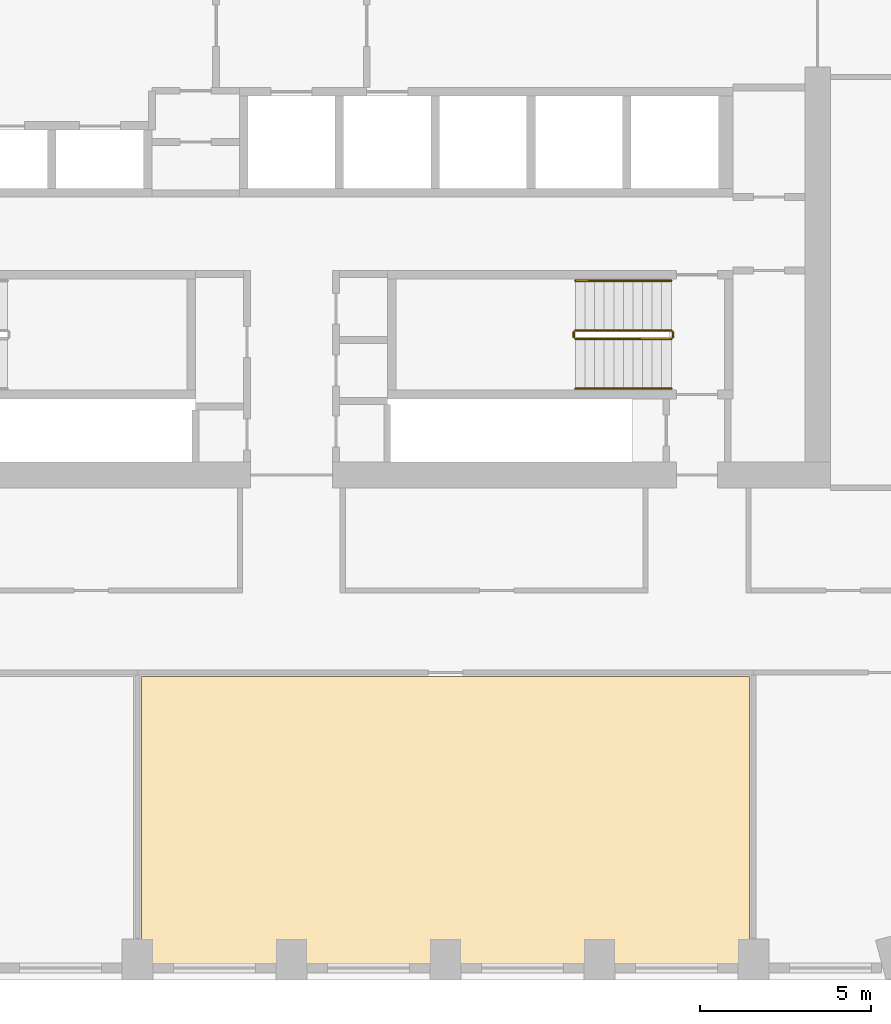
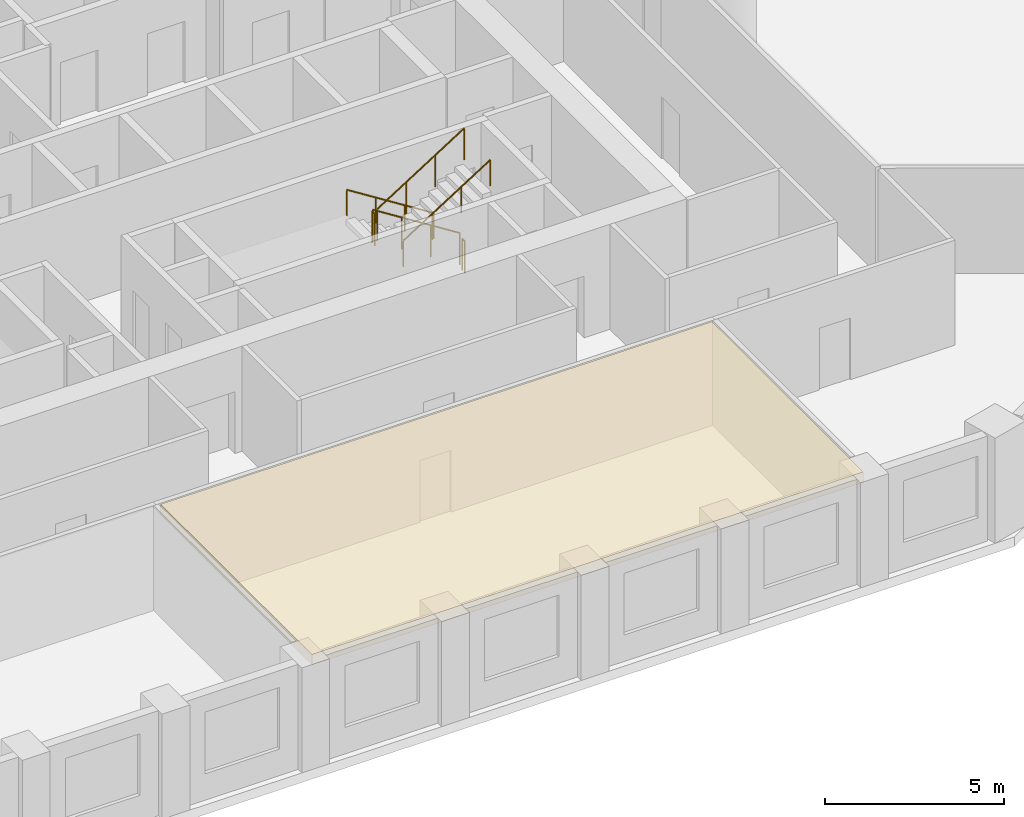
# One storey, part 11 of 14: 6 railings, 1 covering.
"""IFC4 building model written with IfcOpenShell, lengths in metres."""

from ifc_helpers import new_model, si_unit, direction, frame, origin, origin_2d, place, context, subcontext, project, spatial, polyline, circle, outline, extrude, material, layer, layer_set, type_object, element, save


model = new_model("IFC4")

# Units and contexts
model_context = context("Model", 3, precision=1e-05, world=origin(), true_north=direction((0.0, 1.0)))
body_context = subcontext(model_context, "Body", "Model", "MODEL_VIEW")
ifc_project = project(units=[si_unit("LENGTHUNIT", "METRE"), si_unit("AREAUNIT", "SQUARE_METRE"), si_unit("VOLUMEUNIT", "CUBIC_METRE"), si_unit("PLANEANGLEUNIT", "RADIAN"), si_unit("MASSUNIT", "GRAM", prefix="KILO")], contexts=[model_context])

# Site, building, storey
site_placement = place(None, origin())
site = spatial("IfcSite", under=ifc_project, at=site_placement, CompositionType="ELEMENT")
building_placement = place(site_placement, origin())
building = spatial("IfcBuilding", under=site, at=building_placement, Name="Dhurran Vertical Campus", CompositionType="ELEMENT")
storey_placement = place(building_placement, frame((0.0, 0.0, 140.39990234375)))
storey = spatial("IfcBuildingStorey", under=building, at=storey_placement, Name="L34", CompositionType="ELEMENT", Elevation=140.39990234375)

# Railings
ifc_material_1 = material(Name="Stainless steel balustrade", Category="steel")
railing_type_1 = type_object("IfcRailingType", Name="co-RL-GUARD-1100", PredefinedType="GUARDRAIL", material=ifc_material_1)
railing_1_placement = place(storey_placement, frame((11.10009765625, -8.89990234375, 0.177490234375)))
element("IfcRailing", 1, at=railing_1_placement, inside=storey, type_object=railing_type_1, Name="L34 ST4 stair guard 1", PredefinedType="GUARDRAIL", context=body_context, shape_type="SweptSolid", body=[
    extrude(circle(Radius=0.02392578125, at=origin_2d()), frame((0.0, 0.0, 1.076171875), z_axis=(-0.844908973607, 0.0, 0.534910110503), x_axis=(0.0, -1.0, 0.0)), (0.0, 0.0, 1.0), 3.31396484375),
    extrude(circle(Radius=0.02099609375, at=origin_2d()), origin(), (0.0, 0.0, 1.0), 1.052001953125),
    extrude(circle(Radius=0.02099609375, at=origin_2d()), frame((-0.933349609375, 0.0, 0.5908203125)), (0.0, 0.0, 1.0), 1.052001953125),
    extrude(circle(Radius=0.02099609375, at=origin_2d()), frame((-1.86669921875, 0.0, 1.181884765625)), (0.0, 0.0, 1.0), 1.052001953125),
    extrude(circle(Radius=0.02099609375, at=origin_2d()), frame((-2.800048828125, 0.0, 1.772705078125)), (0.0, 0.0, 1.0), 1.052001953125),
])
railing_2_placement = place(storey_placement, frame((8.25, -8.949951171875, 1.9501953125)))
element("IfcRailing", 2, at=railing_2_placement, inside=storey, type_object=railing_type_1, Name="L34 ST4 stair guard 2", PredefinedType="GUARDRAIL", context=body_context, shape_type="SweptSolid", body=[
    extrude(circle(Radius=0.02392578125, at=origin_2d()), frame((0.0, 0.0, 1.076171875), z_axis=(0.0, -1.0, 0.0), x_axis=(1.0, 0.0, 0.0)), (0.0, 0.0, 1.0), 0.150146484375),
    extrude(circle(Radius=0.02099609375, at=origin_2d()), origin(), (0.0, 0.0, 1.0), 1.052001953125),
    extrude(circle(Radius=0.02099609375, at=origin_2d()), frame((0.0, -0.150146484375, 0.0)), (0.0, 0.0, 1.0), 1.052001953125),
])
railing_3_placement = place(storey_placement, frame((8.300048828125, -9.14990234375, 2.12744140625)))
element("IfcRailing", 3, at=railing_3_placement, inside=storey, type_object=railing_type_1, Name="L34 ST4 stair guard 3", PredefinedType="GUARDRAIL", context=body_context, shape_type="SweptSolid", body=[
    extrude(circle(Radius=0.02392578125, at=origin_2d()), frame((0.0, 0.0, 1.076171875), z_axis=(0.844908973607, 0.0, 0.534910110503), x_axis=(0.0, 1.0, 0.0)), (0.0, 0.0, 1.0), 3.31396484375),
    extrude(circle(Radius=0.02099609375, at=origin_2d()), origin(), (0.0, 0.0, 1.0), 1.052001953125),
    extrude(circle(Radius=0.02099609375, at=origin_2d()), frame((0.933349609375, 0.0, 0.5908203125)), (0.0, 0.0, 1.0), 1.052001953125),
    extrude(circle(Radius=0.02099609375, at=origin_2d()), frame((1.86669921875, 0.0, 1.181884765625)), (0.0, 0.0, 1.0), 1.052001953125),
    extrude(circle(Radius=0.02099609375, at=origin_2d()), frame((2.800048828125, 0.0, 1.772705078125)), (0.0, 0.0, 1.0), 1.052001953125),
])
railing_4_placement = place(storey_placement, frame((11.14990234375, -8.949951171875, 0.0)))
element("IfcRailing", 4, at=railing_4_placement, inside=storey, type_object=railing_type_1, Name="L34 ST4 stair guard 4", PredefinedType="GUARDRAIL", context=body_context, shape_type="SweptSolid", body=[
    extrude(circle(Radius=0.02392578125, at=origin_2d()), frame((0.0, 0.0, 1.076171875), z_axis=(0.0, -1.0, 0.0), x_axis=(1.0, 0.0, 0.0)), (0.0, 0.0, 1.0), 0.150146484375),
    extrude(circle(Radius=0.02099609375, at=origin_2d()), origin(), (0.0, 0.0, 1.0), 1.052001953125),
    extrude(circle(Radius=0.02099609375, at=origin_2d()), frame((0.0, -0.150146484375, 0.0)), (0.0, 0.0, 1.0), 1.052001953125),
])
ifc_material_2 = material(Name="Stainless steel handrail", Category="steel")
railing_type_2 = type_object("IfcRailingType", Name="co-RL-HANDRAIL-900", PredefinedType="HANDRAIL", material=ifc_material_2)
railing_5_placement = place(storey_placement, frame((11.10009765625, -7.449951171875, 0.177490234375)))
element("IfcRailing", 5, at=railing_5_placement, inside=storey, type_object=railing_type_2, Name="L34 ST4 stair handrail 1", PredefinedType="HANDRAIL", context=body_context, shape_type="SweptSolid", body=[
    extrude(circle(Radius=0.02392578125, at=origin_2d()), frame((0.0, 0.0, 0.8759765625), z_axis=(-0.844908973607, 0.0, 0.534910110503), x_axis=(0.0, -1.0, 0.0)), (0.0, 0.0, 1.0), 3.31396484375),
    extrude(circle(Radius=0.02099609375, at=origin_2d()), origin(), (0.0, 0.0, 1.0), 0.851806640625),
    extrude(circle(Radius=0.02099609375, at=origin_2d()), frame((-0.933349609375, 0.0, 0.5908203125)), (0.0, 0.0, 1.0), 0.851806640625),
    extrude(circle(Radius=0.02099609375, at=origin_2d()), frame((-1.86669921875, 0.0, 1.181884765625)), (0.0, 0.0, 1.0), 0.851806640625),
    extrude(circle(Radius=0.02099609375, at=origin_2d()), frame((-2.800048828125, 0.0, 1.772705078125)), (0.0, 0.0, 1.0), 0.851806640625),
])
railing_6_placement = place(storey_placement, frame((8.300048828125, -10.60009765625, 2.12744140625)))
element("IfcRailing", 6, at=railing_6_placement, inside=storey, type_object=railing_type_2, Name="L34 ST4 stair handrail 2", PredefinedType="HANDRAIL", context=body_context, shape_type="SweptSolid", body=[
    extrude(circle(Radius=0.02392578125, at=origin_2d()), frame((0.0, 0.0, 0.8759765625), z_axis=(0.844908973607, 0.0, 0.534910110503), x_axis=(0.0, 1.0, 0.0)), (0.0, 0.0, 1.0), 3.31396484375),
    extrude(circle(Radius=0.02099609375, at=origin_2d()), origin(), (0.0, 0.0, 1.0), 0.851806640625),
    extrude(circle(Radius=0.02099609375, at=origin_2d()), frame((0.933349609375, 0.0, 0.5908203125)), (0.0, 0.0, 1.0), 0.851806640625),
    extrude(circle(Radius=0.02099609375, at=origin_2d()), frame((1.86669921875, 0.0, 1.181884765625)), (0.0, 0.0, 1.0), 0.851806640625),
    extrude(circle(Radius=0.02099609375, at=origin_2d()), frame((2.800048828125, 0.0, 1.772705078125)), (0.0, 0.0, 1.0), 0.851806640625),
])

# Covering
ifc_material_3 = material(Name="Mineral fibre ceiling tiles on suspended grid")
ifc_layer = layer(ifc_material_3, 0.35009765625)
ifc_layer_set = layer_set([ifc_layer], Name="Mineral fibre ceiling tiles on suspended grid")
covering_type = type_object("IfcCoveringType", Name="fl-CE-350 suspended ceiling", PredefinedType="CEILING", material=ifc_layer_set)
covering_placement = place(storey_placement, frame((0.0, 0.0, 3.22509765625)))
element("IfcCovering", 7, at=covering_placement, inside=storey, type_object=covering_type, Name="Ceiling 34-21", PredefinedType="CEILING", context=body_context, shape_type="SweptSolid", body=[
    extrude(outline(polyline([(13.3798828125, -27.462890625), (-4.3798828125, -27.462890625), (-4.3798828125, -19.02001953125), (13.3798828125, -19.02001953125), (13.3798828125, -27.462890625)])), origin(), (0.0, 0.0, 1.0), 0.35009765625),
])

save(model, "model.ifc")
